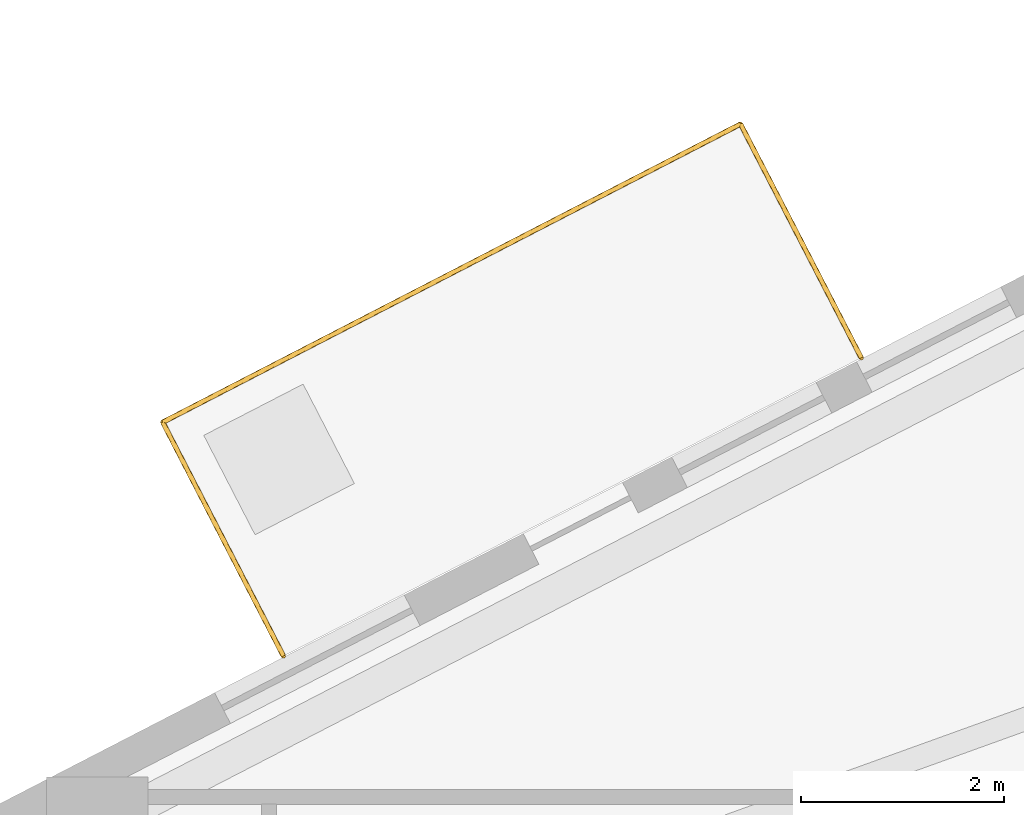
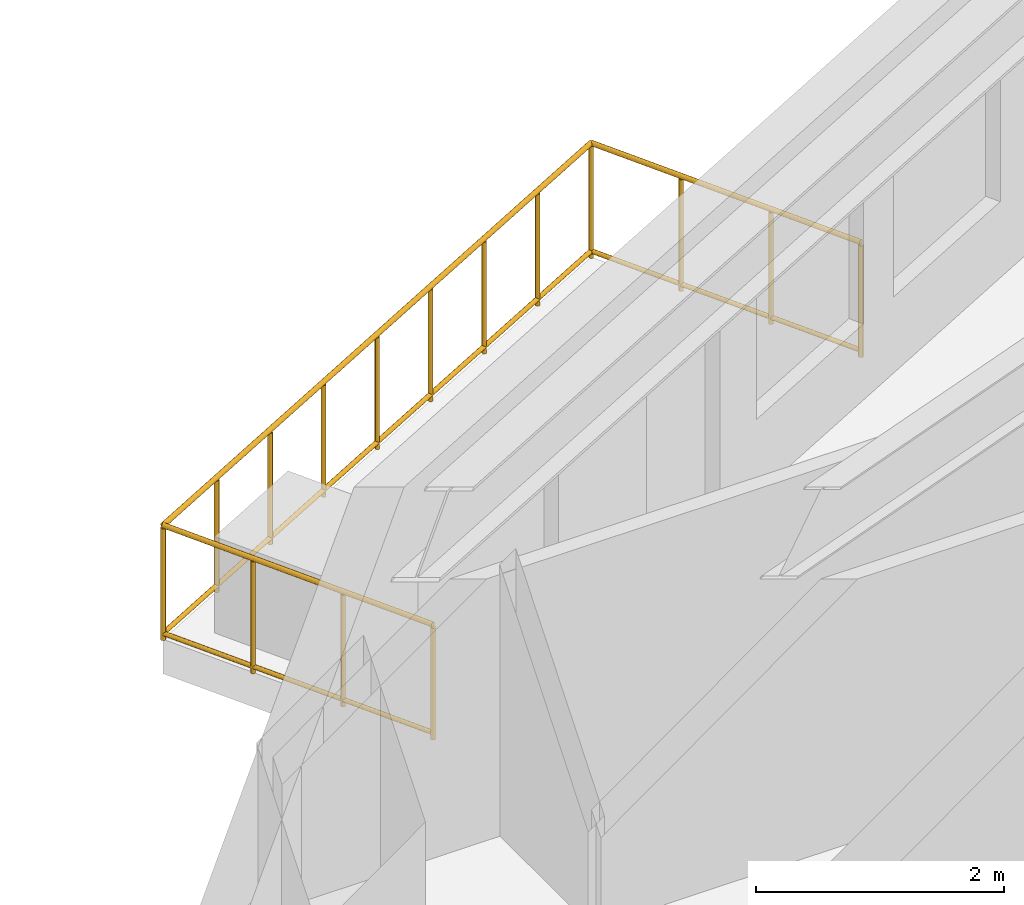
# One storey, part 8 of 8: 1 railing.
"""IFC4 building model written with IfcOpenShell, lengths in metres."""

from ifc_helpers import new_model, si_unit, direction, frame, origin, origin_2d, place, context, subcontext, project, spatial, circle, extrude, material, type_object, element, save


model = new_model("IFC4")

# Units and contexts
model_context = context("Model", 3, precision=1e-05, world=origin(), true_north=direction((0.0, 1.0)))
body_context = subcontext(model_context, "Body", "Model", "MODEL_VIEW")
ifc_project = project(units=[si_unit("LENGTHUNIT", "METRE"), si_unit("AREAUNIT", "SQUARE_METRE"), si_unit("VOLUMEUNIT", "CUBIC_METRE"), si_unit("PLANEANGLEUNIT", "RADIAN"), si_unit("MASSUNIT", "GRAM", prefix="KILO"), si_unit("THERMODYNAMICTEMPERATUREUNIT", "KELVIN"), si_unit("POWERUNIT", "WATT")], contexts=[model_context])

# Site, building, storey
site_placement = place(None, origin())
site = spatial("IfcSite", under=ifc_project, at=site_placement, CompositionType="ELEMENT")
building_placement = place(site_placement, origin())
building = spatial("IfcBuilding", under=site, at=building_placement, Name="Skarre Station Tower", CompositionType="ELEMENT")
storey_placement = place(building_placement, frame((0.0, 0.0, 153.300048828125)))
storey = spatial("IfcBuildingStorey", under=building, at=storey_placement, Name="L41", CompositionType="ELEMENT", Elevation=153.300048828125)

# Railing
ifc_material = material(Name="Stainless Steel Grade 316L & Laminated Safety Glass", Category="steel")
railing_type = type_object("IfcRailingType", Name="Laminated Glass & Stainless Terrace Guardrail 1150", PredefinedType="BALUSTRADE", material=ifc_material)
railing_placement = place(storey_placement, frame((28.22998046875, 41.902099609375, 0.0)))
element("IfcRailing", 1, at=railing_placement, inside=storey, type_object=railing_type, Name="L41 TB-L41-F1 Tree-Balcony Guardrail", PredefinedType="BALUSTRADE", context=body_context, shape_type="SweptSolid", body=[
    extrude(circle(Radius=0.02392578125, at=origin_2d()), frame((0.0, 0.0, 1.1259765625), z_axis=(-0.458791817331, 0.888543790902, 0.0), x_axis=(-0.888543790902, -0.458791817331, 0.0)), (0.0, 0.0, 1.0), 2.58935546875),
    extrude(circle(Radius=0.02099609375, at=origin_2d()), frame((0.0, 0.0, 0.06005859375), z_axis=(-0.458791817331, 0.888543790902, 0.0), x_axis=(-0.888543790902, -0.458791817331, 0.0)), (0.0, 0.0, 1.0), 2.58935546875),
    extrude(circle(Radius=0.02392578125, at=origin_2d()), frame((-1.18798828125, 2.30078125, 1.1259765625), z_axis=(-0.888647237743, -0.458591416026, 0.0), x_axis=(0.458591416026, -0.888647237743, 0.0)), (0.0, 0.0, 1.0), 6.399658203125),
    extrude(circle(Radius=0.02099609375, at=origin_2d()), frame((-1.18798828125, 2.30078125, 0.06005859375), z_axis=(-0.888647237743, -0.458591416026, 0.0), x_axis=(0.458591416026, -0.888647237743, 0.0)), (0.0, 0.0, 1.0), 6.399658203125),
    extrude(circle(Radius=0.02392578125, at=origin_2d()), frame((-6.875, -0.634033203125, 1.1259765625), z_axis=(0.458599707136, -0.888642959019, 0.0), x_axis=(0.888642959019, 0.458599707136, 0.0)), (0.0, 0.0, 1.0), 2.590576171875),
    extrude(circle(Radius=0.02099609375, at=origin_2d()), frame((-6.875, -0.634033203125, 0.06005859375), z_axis=(0.458599707136, -0.888642959019, 0.0), x_axis=(0.888642959019, 0.458599707136, 0.0)), (0.0, 0.0, 1.0), 2.590576171875),
    extrude(circle(Radius=0.02099609375, at=origin_2d()), origin(), (0.0, 0.0, 1.0), 1.101806640625),
    extrude(circle(Radius=0.02099609375, at=origin_2d()), frame((-0.39599609375, 0.766845703125, 0.0)), (0.0, 0.0, 1.0), 1.101806640625),
    extrude(circle(Radius=0.02099609375, at=origin_2d()), frame((-0.7919921875, 1.533935546875, 0.0)), (0.0, 0.0, 1.0), 1.101806640625),
    extrude(circle(Radius=0.02099609375, at=origin_2d()), frame((-1.18798828125, 2.30078125, 0.0)), (0.0, 0.0, 1.0), 1.101806640625),
    extrude(circle(Radius=0.02099609375, at=origin_2d()), frame((-1.89892578125, 1.933837890625, 0.0)), (0.0, 0.0, 1.0), 1.101806640625),
    extrude(circle(Radius=0.02099609375, at=origin_2d()), frame((-2.60986328125, 1.567138671875, 0.0)), (0.0, 0.0, 1.0), 1.101806640625),
    extrude(circle(Radius=0.02099609375, at=origin_2d()), frame((-3.320556640625, 1.2001953125, 0.0)), (0.0, 0.0, 1.0), 1.101806640625),
    extrude(circle(Radius=0.02099609375, at=origin_2d()), frame((-4.031494140625, 0.83349609375, 0.0)), (0.0, 0.0, 1.0), 1.101806640625),
    extrude(circle(Radius=0.02099609375, at=origin_2d()), frame((-4.742431640625, 0.466552734375, 0.0)), (0.0, 0.0, 1.0), 1.101806640625),
    extrude(circle(Radius=0.02099609375, at=origin_2d()), frame((-5.453125, 0.099609375, 0.0)), (0.0, 0.0, 1.0), 1.101806640625),
    extrude(circle(Radius=0.02099609375, at=origin_2d()), frame((-6.1640625, -0.26708984375, 0.0)), (0.0, 0.0, 1.0), 1.101806640625),
    extrude(circle(Radius=0.02099609375, at=origin_2d()), frame((-6.875, -0.634033203125, 0.0)), (0.0, 0.0, 1.0), 1.101806640625),
    extrude(circle(Radius=0.02099609375, at=origin_2d()), frame((-6.47900390625, -1.4013671875, 0.0)), (0.0, 0.0, 1.0), 1.101806640625),
    extrude(circle(Radius=0.02099609375, at=origin_2d()), frame((-6.0830078125, -2.168701171875, 0.0)), (0.0, 0.0, 1.0), 1.101806640625),
    extrude(circle(Radius=0.02099609375, at=origin_2d()), frame((-5.68701171875, -2.93603515625, 0.0)), (0.0, 0.0, 1.0), 1.101806640625),
])

save(model, "model.ifc")
